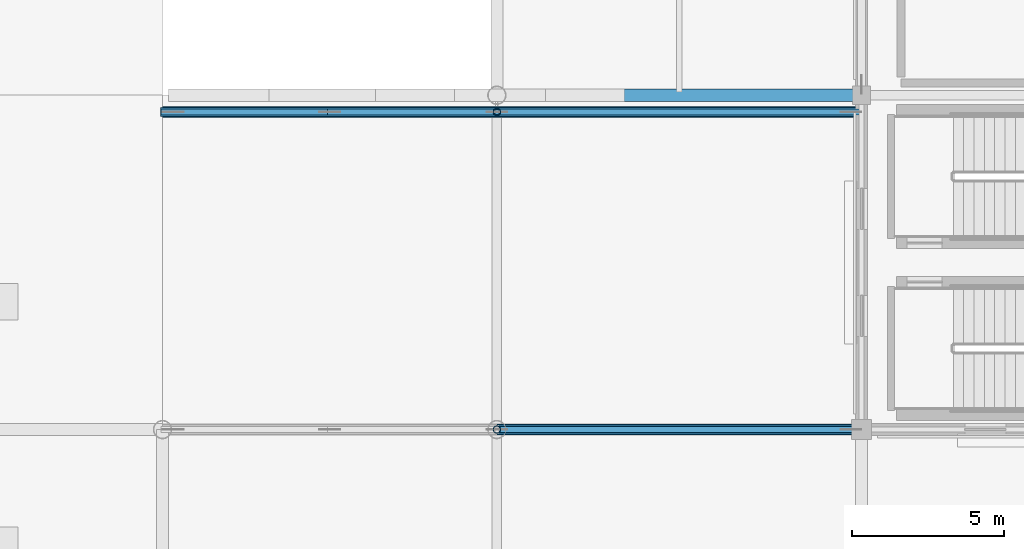
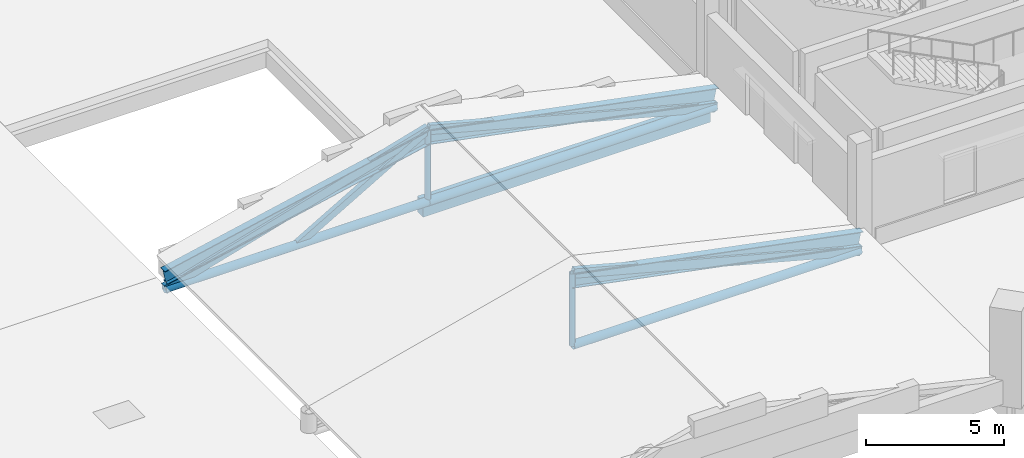
# One storey, part 26 of 77: 9 members, 4 beams.
"""IFC4 building model written with IfcOpenShell, lengths in metres."""

import ifcopenshell
import ifcopenshell.guid

model = None  # the IFC model being written
_history = None  # IfcOwnerHistory: only IFC2X3 demands one
_inside = {}  # id of a spatial element -> (the spatial element, [elements in it])
_under = {}  # id of a project, library or spatial element -> (it, [spatial elements below it])
_declared = {}  # id of a project -> (the project, [libraries it declares])
_typed = {}  # id of a type object -> (the type object, [elements of that type])
_made_of = {}  # id of a material, layer set ... -> (it, [elements and type objects made of it])


def new_model(schema):
    """Start an empty IFC model of exactly this schema.

    Asked for "IFC4X3", IfcOpenShell would pick the latest addendum, in which some entities
    have other attributes; the version numbers below select the first issue.
    IFC2X3 requires an IfcOwnerHistory on every rooted entity: one is made here for all.
    """
    global model, _history
    if schema == "IFC4X3":
        model = ifcopenshell.file(schema_version=(4, 3, 0, 0))
    else:
        model = ifcopenshell.file(schema=schema)
    _inside.clear()
    _under.clear()
    _declared.clear()
    _typed.clear()
    _made_of.clear()
    _history = None
    if model.schema == "IFC2X3":
        org = make("IfcOrganization", Name="unknown")
        user = make(
            "IfcPersonAndOrganization",
            ThePerson=make("IfcPerson", FamilyName="unknown"),
            TheOrganization=org,
        )
        app = make(
            "IfcApplication",
            ApplicationDeveloper=org,
            Version="unknown",
            ApplicationFullName="unknown",
            ApplicationIdentifier="unknown",
        )
        _history = make(
            "IfcOwnerHistory",
            OwningUser=user,
            OwningApplication=app,
            ChangeAction="ADDED",
            CreationDate=0,
        )
    return model


def make(cls, **values):
    """One entity of the class cls with the attributes given. An attribute that is None is left unset."""
    return model.create_entity(
        cls, **{name: value for name, value in values.items() if value is not None}
    )


def rooted(cls, **values):
    """An entity with a GlobalId (a new one), such as an element, a storey or a relation."""
    return make(cls, GlobalId=ifcopenshell.guid.new(), OwnerHistory=_history, **values)


def si_unit(unit_type, name, prefix=None):
    """IfcSIUnit, for example si_unit("LENGTHUNIT", "METRE", prefix="MILLI")."""
    return make("IfcSIUnit", UnitType=unit_type, Prefix=prefix, Name=name)


def assignment(units):
    """IfcUnitAssignment: the units of a project."""
    return None if units is None else make("IfcUnitAssignment", Units=units)


def point(xyz):
    """IfcCartesianPoint."""
    return None if xyz is None else make("IfcCartesianPoint", Coordinates=xyz)


def direction(xyz):
    """IfcDirection."""
    return None if xyz is None else make("IfcDirection", DirectionRatios=xyz)


def frame(location, z_axis=None, x_axis=None):
    """IfcAxis2Placement3D, a coordinate frame: its origin and axes. An axis left out is left unset."""
    return make(
        "IfcAxis2Placement3D",
        Location=point(location),
        Axis=direction(z_axis),
        RefDirection=direction(x_axis),
    )


def frame_2d(location, x_axis=None):
    """IfcAxis2Placement2D, a coordinate frame in the plane: its origin and x axis."""
    return make(
        "IfcAxis2Placement2D", Location=point(location), RefDirection=direction(x_axis)
    )


def origin():
    """The frame at (0, 0, 0) with its axes left unset."""
    return frame((0.0, 0.0, 0.0))


def origin_2d():
    """The frame at (0, 0) in the plane with its x axis left unset."""
    return frame_2d((0.0, 0.0))


def place(relative_to, where):
    """IfcLocalPlacement: puts the frame where relative to a parent placement (None: the world)."""
    return make(
        "IfcLocalPlacement", PlacementRelTo=relative_to, RelativePlacement=where
    )


def context(
    kind, dimensions, precision=None, world=None, true_north=None, identifier=None
):
    """IfcGeometricRepresentationContext, for example the 3D "Model" context."""
    return make(
        "IfcGeometricRepresentationContext",
        ContextIdentifier=identifier,
        ContextType=kind,
        CoordinateSpaceDimension=dimensions,
        Precision=precision,
        WorldCoordinateSystem=world,
        TrueNorth=true_north,
    )


def subcontext(parent, identifier, kind, view, scale=None):
    """IfcGeometricRepresentationSubContext, for example "Body" below "Model"."""
    return make(
        "IfcGeometricRepresentationSubContext",
        ContextIdentifier=identifier,
        ContextType=kind,
        ParentContext=parent,
        TargetScale=scale,
        TargetView=view,
    )


def project(units=None, contexts=None):
    """IfcProject with its units and contexts."""
    return rooted(
        "IfcProject",
        Name="project",
        RepresentationContexts=contexts,
        UnitsInContext=assignment(units),
    )


def spatial(cls, under=None, at=None, **own):
    """A site, building, storey or space (cls), placed at a placement, below another one or the project."""
    s = rooted(cls, ObjectPlacement=at, **own)
    if under is not None:
        _under.setdefault(under.id(), (under, []))[1].append(s)
    return s


def profile(cls, at=None, kind="AREA", **sizes):
    """A parametric profile (cls). Its sizes go by their IFC names, for example OverallWidth=200.0."""
    return make(cls, ProfileType=kind, Position=at, **sizes)


def rectangle(**sizes):
    """IfcRectangleProfileDef."""
    return profile("IfcRectangleProfileDef", **sizes)


def hollow_rectangle(**sizes):
    """IfcRectangleHollowProfileDef."""
    return profile("IfcRectangleHollowProfileDef", **sizes)


def hollow_circle(**sizes):
    """IfcCircleHollowProfileDef."""
    return profile("IfcCircleHollowProfileDef", **sizes)


def i_section(**sizes):
    """IfcIShapeProfileDef."""
    return profile("IfcIShapeProfileDef", **sizes)


def extrude(swept, where, along, depth):
    """IfcExtrudedAreaSolid: the profile swept, set in the frame where, extruded along a direction by depth."""
    return make(
        "IfcExtrudedAreaSolid",
        SweptArea=swept,
        Position=where,
        ExtrudedDirection=direction(along),
        Depth=depth,
    )


def shape(context_of_items, identifier, shape_type, items):
    """IfcShapeRepresentation: the items that make up one representation, for example the "Body"."""
    return make(
        "IfcShapeRepresentation",
        ContextOfItems=context_of_items,
        RepresentationIdentifier=identifier,
        RepresentationType=shape_type,
        Items=items,
    )


def material(Name=None, Category=None):
    """IfcMaterial."""
    return make("IfcMaterial", Name=Name, Category=Category)


def material_profile(
    of_material, cross_section, Name=None, Category=None, Priority=None
):
    """IfcMaterialProfile: a cross section and its material."""
    return make(
        "IfcMaterialProfile",
        Name=Name,
        Material=of_material,
        Profile=cross_section,
        Priority=Priority,
        Category=Category,
    )


def profile_set(profiles, Name=None, composite=None):
    """IfcMaterialProfileSet."""
    return make(
        "IfcMaterialProfileSet",
        Name=Name,
        MaterialProfiles=profiles,
        CompositeProfile=composite,
    )


def made_of(thing, what):
    """Note that an element or type object is made of a material, layer set ...; save() writes the relation."""
    if what is not None:
        _made_of.setdefault(what.id(), (what, []))[1].append(thing)
    return thing


def type_object(cls, material=None, **own):
    """A type object (cls), such as IfcWallType, which elements share."""
    return made_of(rooted(cls, **own), material)


def element(
    cls,
    number,
    at=None,
    inside=None,
    cuts=None,
    type_object=None,
    material=None,
    context=None,
    identifier="Body",
    shape_type=None,
    held_by="IfcProductDefinitionShape",
    body=None,
    shapes=None,
    **own,
):
    """One element of the class cls, such as IfcWall. Its Tag is "e" and its number.

    at: its placement. inside: the storey or other place that contains it. cuts: it is an
    opening in that element (IfcRelVoidsElement). A single representation is given by context,
    identifier, shape_type and body (its items); several are given by shapes. held_by: the class
    of the entity that holds the representations. save() writes the other relations.
    """
    e = rooted(cls, Tag="e%d" % number, ObjectPlacement=at, **own)
    if body is not None:
        shapes = [shape(context, identifier, shape_type, body)]
    if shapes is not None:
        e.Representation = make(held_by, Representations=shapes)
    if inside is not None:
        _inside.setdefault(inside.id(), (inside, []))[1].append(e)
    if cuts is not None:
        rooted(
            "IfcRelVoidsElement", RelatingBuildingElement=cuts, RelatedOpeningElement=e
        )
    if type_object is not None:
        _typed.setdefault(type_object.id(), (type_object, []))[1].append(e)
    return made_of(e, material)


def aggregate(whole, parts):
    """IfcRelAggregates: a whole, such as a stair, and the parts it consists of."""
    return rooted("IfcRelAggregates", RelatingObject=whole, RelatedObjects=parts)


def save(model, path):
    """Write the relations noted so far, then the file.

    IfcRelAggregates (storeys below a building ...), IfcRelContainedInSpatialStructure (elements
    in a storey), IfcRelDefinesByType, IfcRelAssociatesMaterial and IfcRelDeclares: one each for
    every whole, place, type object, material and project.
    """
    for whole, parts in _under.values():
        aggregate(whole, parts)
    for where, things in _inside.values():
        rooted(
            "IfcRelContainedInSpatialStructure",
            RelatedElements=things,
            RelatingStructure=where,
        )
    for kind, things in _typed.values():
        rooted("IfcRelDefinesByType", RelatedObjects=things, RelatingType=kind)
    for what, things in _made_of.values():
        rooted("IfcRelAssociatesMaterial", RelatedObjects=things, RelatingMaterial=what)
    for by, libraries in _declared.values():
        rooted("IfcRelDeclares", RelatingContext=by, RelatedDefinitions=libraries)
    model.write(path)


model = new_model("IFC4")

# Units and contexts
model_context = context("Model", 3, precision=1e-05, world=origin(), true_north=direction((0.0, 1.0)))
body_context = subcontext(model_context, "Body", "Model", "MODEL_VIEW")
ifc_project = project(units=[si_unit("LENGTHUNIT", "METRE"), si_unit("AREAUNIT", "SQUARE_METRE"), si_unit("VOLUMEUNIT", "CUBIC_METRE"), si_unit("PLANEANGLEUNIT", "RADIAN"), si_unit("MASSUNIT", "GRAM", prefix="KILO")], contexts=[model_context])

# Site, building, storey
site_placement = place(None, origin())
site = spatial("IfcSite", under=ifc_project, at=site_placement, CompositionType="ELEMENT")
building_placement = place(site_placement, origin())
building = spatial("IfcBuilding", under=site, at=building_placement, Name="Luwafu Chhajja Arena", CompositionType="ELEMENT")
storey_placement = place(building_placement, frame((0.0, 0.0, 14.699951171875)))
storey = spatial("IfcBuildingStorey", under=building, at=storey_placement, Name="L03", CompositionType="ELEMENT", Elevation=14.699951171875)

# Members
ifc_material_1 = material(Name="Steel S355", Category="steel")
ifc_material_profile_1 = material_profile(ifc_material_1, hollow_rectangle(XDim=0.199951171875, YDim=0.39990234375, WallThickness=0.013916015625, at=origin_2d()), Name="RHS 400x200x14")
ifc_profile_set_1 = profile_set([ifc_material_profile_1], Name="Steel S355")
member_type_1 = type_object("IfcMemberType", Name="Pishtaq Roof Truss Chord RHS 400x200", PredefinedType="CHORD", material=ifc_profile_set_1)
member_1_placement = place(storey_placement, frame((22.0, 11.0, 3.050048828125), z_axis=(0.966235918422, 0.0, -0.257658979955), x_axis=(0.0, 1.0, 0.0)))
element("IfcMember", 1, at=member_1_placement, inside=storey, type_object=member_type_1, Name="Pishtaq Roof Truss Chord 1E", PredefinedType="CHORD", context=body_context, shape_type="SweptSolid", body=[
    extrude(hollow_rectangle(XDim=0.199951171875, YDim=0.39990234375, WallThickness=0.013916015625, at=origin_2d()), origin(), (0.0, 0.0, 1.0), 12.41943359375),
])
member_2_placement = place(storey_placement, frame((11.0, 21.449951171875, -0.14990234375), z_axis=(0.960196439774, 0.0, 0.279325611153), x_axis=(0.0, 1.0, 0.0)))
element("IfcMember", 2, at=member_2_placement, inside=storey, type_object=member_type_1, Name="Pishtaq Roof Truss Chord 2W", PredefinedType="CHORD", context=body_context, shape_type="SweptSolid", body=[
    extrude(hollow_rectangle(XDim=0.199951171875, YDim=0.39990234375, WallThickness=0.013916015625, at=origin_2d()), origin(), (0.0, 0.0, 1.0), 11.4560546875),
])
member_3_placement = place(storey_placement, frame((22.0, 21.449951171875, 3.050048828125), z_axis=(0.966235918422, 0.0, -0.257658979955), x_axis=(0.0, 1.0, 0.0)))
element("IfcMember", 3, at=member_3_placement, inside=storey, type_object=member_type_1, Name="Pishtaq Roof Truss Chord 2E", PredefinedType="CHORD", context=body_context, shape_type="SweptSolid", body=[
    extrude(hollow_rectangle(XDim=0.199951171875, YDim=0.39990234375, WallThickness=0.013916015625, at=origin_2d()), origin(), (0.0, 0.0, 1.0), 12.41943359375),
])
ifc_material_profile_2 = material_profile(ifc_material_1, hollow_rectangle(XDim=0.199951171875, YDim=0.300048828125, WallThickness=0.011962890625, at=origin_2d()), Name="RHS 300x200x12")
ifc_profile_set_2 = profile_set([ifc_material_profile_2], Name="Steel S355")
member_type_2 = type_object("IfcMemberType", Name="Portal Frame Brace RHS 300x200", PredefinedType="BRACE", material=ifc_profile_set_2)
member_4_placement = place(storey_placement, frame((16.5, 21.449951171875, -0.14990234375), z_axis=(0.864351673204, 0.0, 0.502887845378), x_axis=(0.0, 1.0, 0.0)))
element("IfcMember", 4, at=member_4_placement, inside=storey, type_object=member_type_2, Name="Pishtaq Roof Web 2E", PredefinedType="BRACE", context=body_context, shape_type="SweptSolid", body=[
    extrude(hollow_rectangle(XDim=0.199951171875, YDim=0.300048828125, WallThickness=0.011962890625, at=origin_2d()), origin(), (0.0, 0.0, 1.0), 6.363037109375),
])

# Beams
ifc_material_profile_3 = material_profile(ifc_material_1, i_section(OverallWidth=0.30712890625, OverallDepth=0.6201171875, WebThickness=0.01416015625, FlangeThickness=0.023681640625, at=origin_2d()), Name="UB 610x305x179")
ifc_profile_set_3 = profile_set([ifc_material_profile_3], Name="Steel S355")
beam_type_1 = type_object("IfcBeamType", Name="Steel Hospitality Girder UB 610x305x179", PredefinedType="BEAM", material=ifc_profile_set_3)
beam_1_placement = place(storey_placement, frame((22.0, 11.0, 2.75), z_axis=(0.981361398086, 0.0, -0.192171294283), x_axis=(0.0, 1.0, 0.0)))
element("IfcBeam", 5, at=beam_1_placement, inside=storey, type_object=beam_type_1, Name="Pishtaq East Rafter 1", PredefinedType="BEAM", context=body_context, shape_type="SweptSolid", body=[
    extrude(i_section(OverallWidth=0.30712890625, OverallDepth=0.6201171875, WebThickness=0.01416015625, FlangeThickness=0.023681640625, at=origin_2d()), origin(), (0.0, 0.0, 1.0), 12.22802734375),
])
beam_2_placement = place(storey_placement, frame((11.0, 21.449951171875, 0.400146484375), z_axis=(0.977934988099, 0.0, 0.208909451803), x_axis=(0.0, 1.0, 0.0)))
element("IfcBeam", 6, at=beam_2_placement, inside=storey, type_object=beam_type_1, Name="Pishtaq West Rafter 2", PredefinedType="BEAM", context=body_context, shape_type="SweptSolid", body=[
    extrude(i_section(OverallWidth=0.30712890625, OverallDepth=0.6201171875, WebThickness=0.01416015625, FlangeThickness=0.023681640625, at=origin_2d()), origin(), (0.0, 0.0, 1.0), 11.248291015625),
])
beam_3_placement = place(storey_placement, frame((22.0, 21.449951171875, 2.75), z_axis=(0.981361398086, 0.0, -0.192171294283), x_axis=(0.0, 1.0, 0.0)))
element("IfcBeam", 7, at=beam_3_placement, inside=storey, type_object=beam_type_1, Name="Pishtaq East Rafter 2", PredefinedType="BEAM", context=body_context, shape_type="SweptSolid", body=[
    extrude(i_section(OverallWidth=0.30712890625, OverallDepth=0.6201171875, WebThickness=0.01416015625, FlangeThickness=0.023681640625, at=origin_2d()), origin(), (0.0, 0.0, 1.0), 12.22802734375),
])

# Members
ifc_material_profile_4 = material_profile(ifc_material_1, hollow_circle(Radius=0.177734375, WallThickness=0.01416015625, at=origin_2d()), Name="CHS 355.6x14.2")
ifc_profile_set_4 = profile_set([ifc_material_profile_4], Name="Steel S355")
member_type_3 = type_object("IfcMemberType", Name="Warm-Up Truss Bottom Chord CHS 355", PredefinedType="CHORD", material=ifc_profile_set_4)
member_5_placement = place(storey_placement, frame((22.0, 11.0, -0.14990234375), z_axis=(1.0, 0.0, 0.0), x_axis=(0.0, 1.0, 0.0)))
element("IfcMember", 8, at=member_5_placement, inside=storey, type_object=member_type_3, Name="Pishtaq Roof Truss Tie 1E", PredefinedType="CHORD", context=body_context, shape_type="SweptSolid", body=[
    extrude(hollow_circle(Radius=0.177734375, WallThickness=0.01416015625, at=origin_2d()), origin(), (0.0, 0.0, 1.0), 12.0),
])
member_6_placement = place(storey_placement, frame((11.0, 21.449951171875, -0.14990234375), z_axis=(1.0, 0.0, 0.0), x_axis=(0.0, 1.0, 0.0)))
element("IfcMember", 9, at=member_6_placement, inside=storey, type_object=member_type_3, Name="Pishtaq Roof Truss Tie 2W", PredefinedType="CHORD", context=body_context, shape_type="SweptSolid", body=[
    extrude(hollow_circle(Radius=0.177734375, WallThickness=0.01416015625, at=origin_2d()), origin(), (0.0, 0.0, 1.0), 11.0),
])
member_7_placement = place(storey_placement, frame((22.0, 21.449951171875, -0.14990234375), z_axis=(1.0, 0.0, 0.0), x_axis=(0.0, 1.0, 0.0)))
element("IfcMember", 10, at=member_7_placement, inside=storey, type_object=member_type_3, Name="Pishtaq Roof Truss Tie 2E", PredefinedType="CHORD", context=body_context, shape_type="SweptSolid", body=[
    extrude(hollow_circle(Radius=0.177734375, WallThickness=0.01416015625, at=origin_2d()), origin(), (0.0, 0.0, 1.0), 12.0),
])
ifc_material_profile_5 = material_profile(ifc_material_1, hollow_circle(Radius=0.122314453125, WallThickness=0.010009765625, at=origin_2d()), Name="CHS 244.5x10")
ifc_profile_set_5 = profile_set([ifc_material_profile_5], Name="Steel S355")
member_type_4 = type_object("IfcMemberType", Name="Warm-Up Truss Web Diagonal CHS 244", PredefinedType="BRACE", material=ifc_profile_set_5)
for number, where, z_axis, x_axis, name in (
    (11, (22.0, 11.0, -0.14990234375), (0.0, 0.0, 1.0), (1.0, 0.0, 0.0), "Pishtaq Roof King Post 1"),
    (12, (22.0, 21.449951171875, -0.14990234375), (0.0, 0.0, 1.0), (1.0, 0.0, 0.0), "Pishtaq Roof King Post 2"),
):
    element("IfcMember", number, at=place(storey_placement, frame(where, z_axis=z_axis, x_axis=x_axis)), inside=storey, type_object=member_type_4, Name=name, PredefinedType="BRACE", context=body_context, shape_type="SweptSolid", body=[
        extrude(hollow_circle(Radius=0.122314453125, WallThickness=0.010009765625, at=origin_2d()), origin(), (0.0, 0.0, 1.0), 3.199951171875),
    ])

# Beam
ifc_material_2 = material(Name="Concrete C35/45", Category="concrete")
ifc_material_profile_6 = material_profile(ifc_material_2, rectangle(XDim=0.39990234375, YDim=0.699951171875, at=origin_2d()), Name="RC 400x700")
ifc_profile_set_6 = profile_set([ifc_material_profile_6], Name="Concrete C35/45")
beam_type_2 = type_object("IfcBeamType", Name="Wing Frame Beam RC 400x700", PredefinedType="BEAM", material=ifc_profile_set_6)
beam_4_placement = place(storey_placement, frame((22.0, 22.0, -0.724853515625), z_axis=(1.0, 0.0, 0.0), x_axis=(0.0, 1.0, 0.0)))
element("IfcBeam", 13, at=beam_4_placement, inside=storey, type_object=beam_type_2, Name="L03 Podium Roof Deck Beam X-02_02", PredefinedType="BEAM", context=body_context, shape_type="SweptSolid", body=[
    extrude(rectangle(XDim=0.39990234375, YDim=0.699951171875, at=origin_2d()), origin(), (0.0, 0.0, 1.0), 12.0),
])

save(model, "model.ifc")
